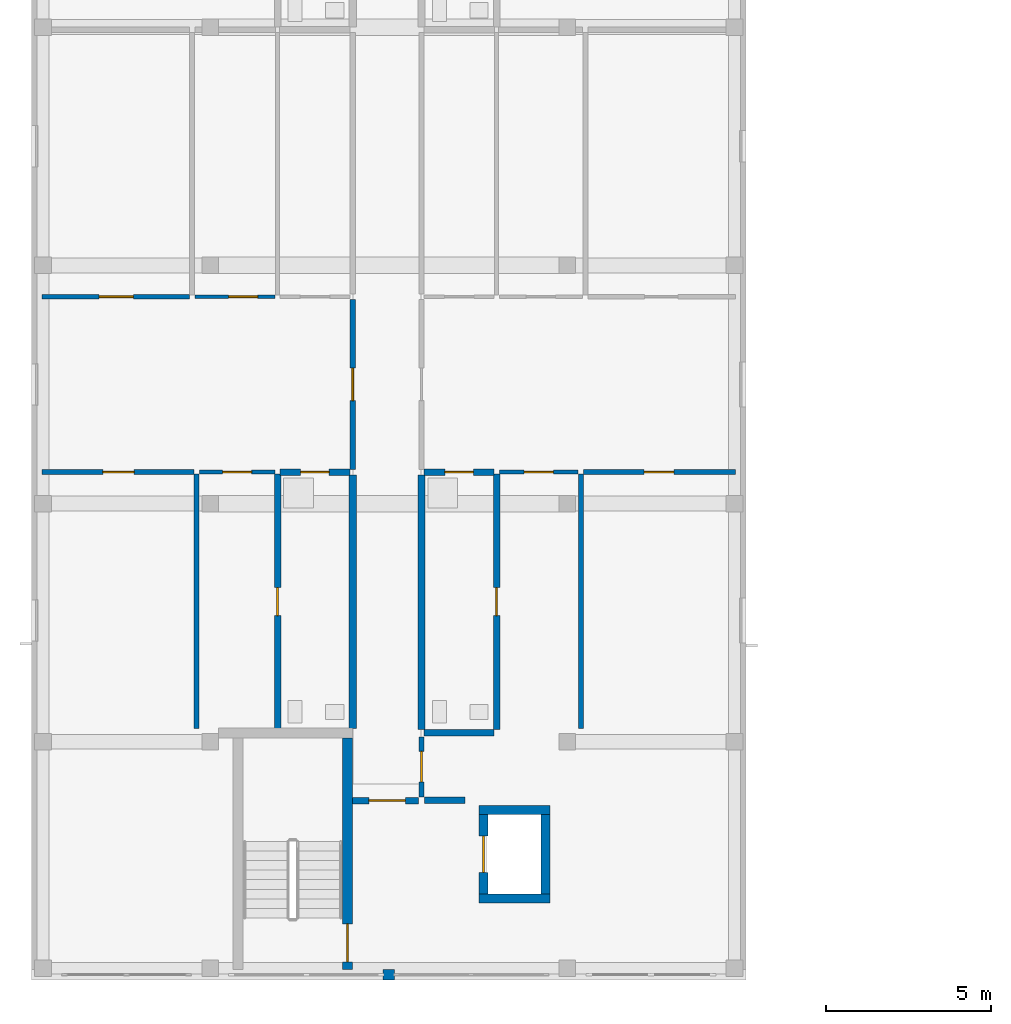
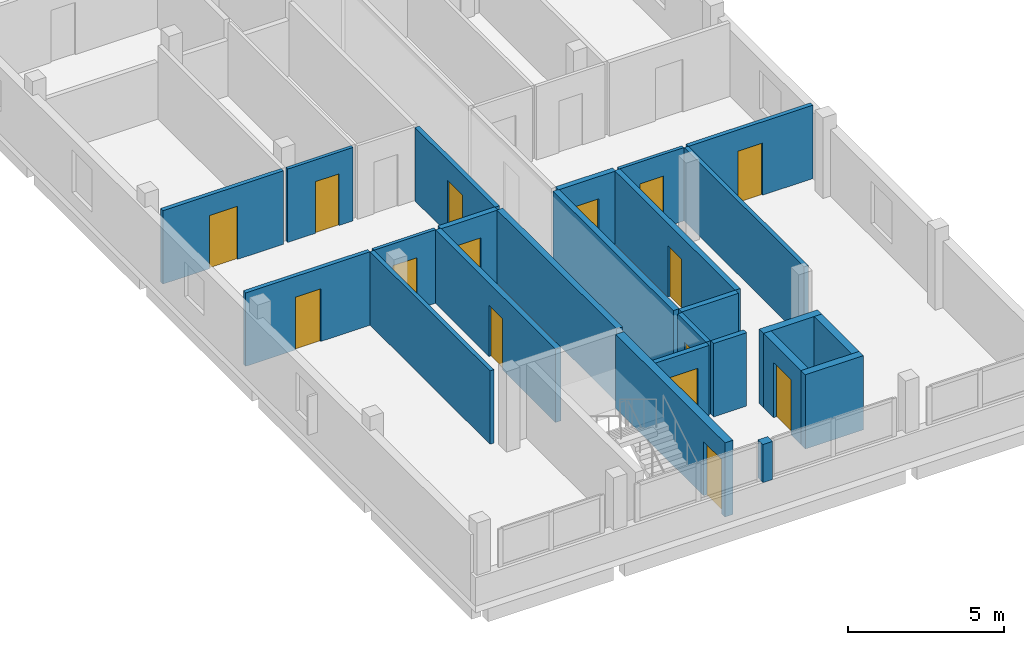
# One storey, part 6 of 16: 25 walls, 15 doors, 15 openings.
"""IFC4 building model written with IfcOpenShell, lengths in metres."""

import ifcopenshell
import ifcopenshell.guid

model = None  # the IFC model being written
_history = None  # IfcOwnerHistory: only IFC2X3 demands one
_inside = {}  # id of a spatial element -> (the spatial element, [elements in it])
_under = {}  # id of a project, library or spatial element -> (it, [spatial elements below it])
_declared = {}  # id of a project -> (the project, [libraries it declares])
_typed = {}  # id of a type object -> (the type object, [elements of that type])
_made_of = {}  # id of a material, layer set ... -> (it, [elements and type objects made of it])


def new_model(schema):
    """Start an empty IFC model of exactly this schema.

    Asked for "IFC4X3", IfcOpenShell would pick the latest addendum, in which some entities
    have other attributes; the version numbers below select the first issue.
    IFC2X3 requires an IfcOwnerHistory on every rooted entity: one is made here for all.
    """
    global model, _history
    if schema == "IFC4X3":
        model = ifcopenshell.file(schema_version=(4, 3, 0, 0))
    else:
        model = ifcopenshell.file(schema=schema)
    _inside.clear()
    _under.clear()
    _declared.clear()
    _typed.clear()
    _made_of.clear()
    _history = None
    if model.schema == "IFC2X3":
        org = make("IfcOrganization", Name="unknown")
        user = make(
            "IfcPersonAndOrganization",
            ThePerson=make("IfcPerson", FamilyName="unknown"),
            TheOrganization=org,
        )
        app = make(
            "IfcApplication",
            ApplicationDeveloper=org,
            Version="unknown",
            ApplicationFullName="unknown",
            ApplicationIdentifier="unknown",
        )
        _history = make(
            "IfcOwnerHistory",
            OwningUser=user,
            OwningApplication=app,
            ChangeAction="ADDED",
            CreationDate=0,
        )
    return model


def make(cls, **values):
    """One entity of the class cls with the attributes given. An attribute that is None is left unset."""
    return model.create_entity(
        cls, **{name: value for name, value in values.items() if value is not None}
    )


def rooted(cls, **values):
    """An entity with a GlobalId (a new one), such as an element, a storey or a relation."""
    return make(cls, GlobalId=ifcopenshell.guid.new(), OwnerHistory=_history, **values)


def si_unit(unit_type, name, prefix=None):
    """IfcSIUnit, for example si_unit("LENGTHUNIT", "METRE", prefix="MILLI")."""
    return make("IfcSIUnit", UnitType=unit_type, Prefix=prefix, Name=name)


def derived_unit(unit_type, elements):
    """IfcDerivedUnit: a product of units, each with its exponent."""
    return make(
        "IfcDerivedUnit",
        Elements=[
            make("IfcDerivedUnitElement", Unit=unit, Exponent=power)
            for unit, power in elements
        ],
        UnitType=unit_type,
    )


def assignment(units):
    """IfcUnitAssignment: the units of a project."""
    return None if units is None else make("IfcUnitAssignment", Units=units)


def point(xyz):
    """IfcCartesianPoint."""
    return None if xyz is None else make("IfcCartesianPoint", Coordinates=xyz)


def direction(xyz):
    """IfcDirection."""
    return None if xyz is None else make("IfcDirection", DirectionRatios=xyz)


def frame(location, z_axis=None, x_axis=None):
    """IfcAxis2Placement3D, a coordinate frame: its origin and axes. An axis left out is left unset."""
    return make(
        "IfcAxis2Placement3D",
        Location=point(location),
        Axis=direction(z_axis),
        RefDirection=direction(x_axis),
    )


def frame_2d(location, x_axis=None):
    """IfcAxis2Placement2D, a coordinate frame in the plane: its origin and x axis."""
    return make(
        "IfcAxis2Placement2D", Location=point(location), RefDirection=direction(x_axis)
    )


def origin():
    """The frame at (0, 0, 0) with its axes left unset."""
    return frame((0.0, 0.0, 0.0))


def place(relative_to, where):
    """IfcLocalPlacement: puts the frame where relative to a parent placement (None: the world)."""
    return make(
        "IfcLocalPlacement", PlacementRelTo=relative_to, RelativePlacement=where
    )


def context(
    kind, dimensions, precision=None, world=None, true_north=None, identifier=None
):
    """IfcGeometricRepresentationContext, for example the 3D "Model" context."""
    return make(
        "IfcGeometricRepresentationContext",
        ContextIdentifier=identifier,
        ContextType=kind,
        CoordinateSpaceDimension=dimensions,
        Precision=precision,
        WorldCoordinateSystem=world,
        TrueNorth=true_north,
    )


def subcontext(parent, identifier, kind, view, scale=None):
    """IfcGeometricRepresentationSubContext, for example "Body" below "Model"."""
    return make(
        "IfcGeometricRepresentationSubContext",
        ContextIdentifier=identifier,
        ContextType=kind,
        ParentContext=parent,
        TargetScale=scale,
        TargetView=view,
    )


def project(units=None, contexts=None):
    """IfcProject with its units and contexts."""
    return rooted(
        "IfcProject",
        Name="project",
        RepresentationContexts=contexts,
        UnitsInContext=assignment(units),
    )


def spatial(cls, under=None, at=None, **own):
    """A site, building, storey or space (cls), placed at a placement, below another one or the project."""
    s = rooted(cls, ObjectPlacement=at, **own)
    if under is not None:
        _under.setdefault(under.id(), (under, []))[1].append(s)
    return s


def profile(cls, at=None, kind="AREA", **sizes):
    """A parametric profile (cls). Its sizes go by their IFC names, for example OverallWidth=200.0."""
    return make(cls, ProfileType=kind, Position=at, **sizes)


def rectangle(**sizes):
    """IfcRectangleProfileDef."""
    return profile("IfcRectangleProfileDef", **sizes)


def extrude(swept, where, along, depth):
    """IfcExtrudedAreaSolid: the profile swept, set in the frame where, extruded along a direction by depth."""
    return make(
        "IfcExtrudedAreaSolid",
        SweptArea=swept,
        Position=where,
        ExtrudedDirection=direction(along),
        Depth=depth,
    )


def shape(context_of_items, identifier, shape_type, items):
    """IfcShapeRepresentation: the items that make up one representation, for example the "Body"."""
    return make(
        "IfcShapeRepresentation",
        ContextOfItems=context_of_items,
        RepresentationIdentifier=identifier,
        RepresentationType=shape_type,
        Items=items,
    )


def material(Name=None, Category=None):
    """IfcMaterial."""
    return make("IfcMaterial", Name=Name, Category=Category)


def layer(
    of_material, thickness, ventilated=None, Name=None, Category=None, Priority=None
):
    """IfcMaterialLayer: one layer of a wall or slab, of a material (None: an air gap)."""
    return make(
        "IfcMaterialLayer",
        Material=of_material,
        LayerThickness=thickness,
        IsVentilated=ventilated,
        Name=Name,
        Category=Category,
        Priority=Priority,
    )


def layer_set(layers, Name=None):
    """IfcMaterialLayerSet."""
    return make("IfcMaterialLayerSet", MaterialLayers=layers, LayerSetName=Name)


def made_of(thing, what):
    """Note that an element or type object is made of a material, layer set ...; save() writes the relation."""
    if what is not None:
        _made_of.setdefault(what.id(), (what, []))[1].append(thing)
    return thing


def type_object(cls, material=None, **own):
    """A type object (cls), such as IfcWallType, which elements share."""
    return made_of(rooted(cls, **own), material)


def element(
    cls,
    number,
    at=None,
    inside=None,
    cuts=None,
    type_object=None,
    material=None,
    context=None,
    identifier="Body",
    shape_type=None,
    held_by="IfcProductDefinitionShape",
    body=None,
    shapes=None,
    **own,
):
    """One element of the class cls, such as IfcWall. Its Tag is "e" and its number.

    at: its placement. inside: the storey or other place that contains it. cuts: it is an
    opening in that element (IfcRelVoidsElement). A single representation is given by context,
    identifier, shape_type and body (its items); several are given by shapes. held_by: the class
    of the entity that holds the representations. save() writes the other relations.
    """
    e = rooted(cls, Tag="e%d" % number, ObjectPlacement=at, **own)
    if body is not None:
        shapes = [shape(context, identifier, shape_type, body)]
    if shapes is not None:
        e.Representation = make(held_by, Representations=shapes)
    if inside is not None:
        _inside.setdefault(inside.id(), (inside, []))[1].append(e)
    if cuts is not None:
        rooted(
            "IfcRelVoidsElement", RelatingBuildingElement=cuts, RelatedOpeningElement=e
        )
    if type_object is not None:
        _typed.setdefault(type_object.id(), (type_object, []))[1].append(e)
    return made_of(e, material)


def fill(opening, filler):
    """IfcRelFillsElement: the door or window that sits in an opening."""
    return rooted(
        "IfcRelFillsElement",
        RelatingOpeningElement=opening,
        RelatedBuildingElement=filler,
    )


def aggregate(whole, parts):
    """IfcRelAggregates: a whole, such as a stair, and the parts it consists of."""
    return rooted("IfcRelAggregates", RelatingObject=whole, RelatedObjects=parts)


def save(model, path):
    """Write the relations noted so far, then the file.

    IfcRelAggregates (storeys below a building ...), IfcRelContainedInSpatialStructure (elements
    in a storey), IfcRelDefinesByType, IfcRelAssociatesMaterial and IfcRelDeclares: one each for
    every whole, place, type object, material and project.
    """
    for whole, parts in _under.values():
        aggregate(whole, parts)
    for where, things in _inside.values():
        rooted(
            "IfcRelContainedInSpatialStructure",
            RelatedElements=things,
            RelatingStructure=where,
        )
    for kind, things in _typed.values():
        rooted("IfcRelDefinesByType", RelatedObjects=things, RelatingType=kind)
    for what, things in _made_of.values():
        rooted("IfcRelAssociatesMaterial", RelatedObjects=things, RelatingMaterial=what)
    for by, libraries in _declared.values():
        rooted("IfcRelDeclares", RelatingContext=by, RelatedDefinitions=libraries)
    model.write(path)


model = new_model("IFC4")

# Units and contexts
model_context = context("Model", 3, precision=1e-05, world=origin(), true_north=direction((0.0, 1.0)))
body_context = subcontext(model_context, "Body", "Model", "MODEL_VIEW")
ifc_project = project(units=[si_unit("LENGTHUNIT", "METRE"), si_unit("AREAUNIT", "SQUARE_METRE"), si_unit("VOLUMEUNIT", "CUBIC_METRE"), si_unit("PLANEANGLEUNIT", "RADIAN"), si_unit("MASSUNIT", "GRAM", prefix="KILO"), derived_unit("THERMALTRANSMITTANCEUNIT", [(si_unit("MASSUNIT", "GRAM", prefix="KILO"), 1), (si_unit("TIMEUNIT", "SECOND"), -3), (si_unit("THERMODYNAMICTEMPERATUREUNIT", "KELVIN"), -1)])], contexts=[model_context])

# Site, building, storey
site_placement = place(None, origin())
site = spatial("IfcSite", under=ifc_project, at=site_placement, CompositionType="ELEMENT")
building_placement = place(site_placement, origin())
building = spatial("IfcBuilding", under=site, at=building_placement, Name="Ochrekiln Boulevard Commons", CompositionType="ELEMENT")
storey_placement = place(building_placement, frame((0.0, 0.0, 43.574951171875)))
storey = spatial("IfcBuildingStorey", under=building, at=storey_placement, Name="L13", CompositionType="ELEMENT", Elevation=43.574951171875)

# Walls
ifc_material_1 = material(Name="Desert ochre clinker brick masonry ASTM C216 Grade SW", Category="masonry")
ifc_layer_1 = layer(ifc_material_1, 0.320068359375)
ifc_layer_set_1 = layer_set([ifc_layer_1], Name="Desert ochre clinker brick masonry ASTM C216 Grade SW")
wall_type_1 = type_object("IfcWallType", Name="WL-EXT-OCHRE-320", PredefinedType="SOLIDWALL", material=ifc_layer_set_1)
wall_1_placement = place(storey_placement, frame((10.6201171875, 68.56005859375, 1.110107421875), z_axis=(0.0, 0.0, 1.0), x_axis=(1.0, 0.0, 0.0)))
element("IfcWall", 1, at=wall_1_placement, inside=storey, type_object=wall_type_1, Name="Block A L13 Courtyard Gable Mullion Pier", PredefinedType="SOLIDWALL", context=body_context, shape_type="SweptSolid", body=[
    extrude(rectangle(XDim=0.35986328125, YDim=0.320068359375, at=frame_2d((0.179931640625, 0.0))), origin(), (0.0, 0.0, 1.0), 1.489990234375),
])
ifc_material_2 = material(Name="Moisture-resistant cementitious tile backer wall")
ifc_layer_2 = layer(ifc_material_2, 0.199951171875)
ifc_layer_set_2 = layer_set([ifc_layer_2], Name="Moisture-resistant cementitious tile backer wall")
wall_type_2 = type_object("IfcWallType", Name="WL-PLM-200", PredefinedType="PLUMBINGWALL", material=ifc_layer_set_2)
wall_2_placement = place(storey_placement, frame((11.8720703125, 75.875, 0.0), z_axis=(0.0, 0.0, 1.0), x_axis=(1.0, 0.0, 0.0)))
element("IfcWall", 2, at=wall_2_placement, inside=storey, type_object=wall_type_2, Name="L13 Interior Wall W-PW200", PredefinedType="PLUMBINGWALL", context=body_context, shape_type="SweptSolid", body=[
    extrude(rectangle(XDim=2.10791015625, YDim=0.199951171875, at=frame_2d((1.053955078125, 0.0))), origin(), (0.0, 0.0, 1.0), 2.8701171875),
])

# Wall, opening, door
wall_3_placement = place(storey_placement, frame((7.52001953125, 83.75, 0.0), z_axis=(0.0, 0.0, 1.0), x_axis=(1.0, 0.0, 0.0)))
wall_3 = element("IfcWall", 3, at=wall_3_placement, inside=storey, type_object=wall_type_2, Name="L13 Interior Wall W-PW200", PredefinedType="PLUMBINGWALL", context=body_context, shape_type="SweptSolid", body=[
    extrude(rectangle(XDim=2.10791015625, YDim=0.199951171875, at=frame_2d((1.053955078125, 0.0))), origin(), (0.0, 0.0, 1.0), 2.8701171875),
])
opening_1_placement = place(wall_3_placement, frame((0.6201171875, 0.0, 0.0)))
opening_1 = element("IfcOpeningElement", 4, at=opening_1_placement, cuts=wall_3, Name="Opening D-L13-1342", PredefinedType="OPENING", context=body_context, shape_type="SweptSolid", body=[
    extrude(rectangle(XDim=0.860107421875, YDim=2.0, at=frame_2d((0.43017578125, 1.0))), frame((0.0, 0.10986328125, 0.0), z_axis=(0.0, -1.0, 0.0), x_axis=(1.0, 0.0, 0.0)), (0.0, 0.0, 1.0), 0.219970703125),
])
ifc_material_3 = material(Name="Solid core architectural oak door leaf")
door_type_1 = type_object("IfcDoorType", Name="DR-INT-BTH-086", OperationType="NOTDEFINED", PredefinedType="DOOR", material=ifc_material_3)
door_1_placement = place(opening_1_placement, frame((0.860107421875, 0.0, 0.0), z_axis=(0.0, 0.0, 1.0), x_axis=(-1.0, 0.0, 0.0)))
door_1 = element("IfcDoor", 5, at=door_1_placement, inside=storey, type_object=door_type_1, Name="L13 Interior Door to Accessible Apartment Bathroom", OperationType="SINGLE_SWING_RIGHT", OverallHeight=2.0, OverallWidth=0.860107421875, PredefinedType="DOOR", context=body_context, shape_type="SweptSolid", body=[
    extrude(rectangle(XDim=0.860107421875, YDim=2.0, at=frame_2d((0.43017578125, 1.0))), frame((0.0, 0.02490234375, 0.0), z_axis=(0.0, -1.0, 0.0), x_axis=(1.0, 0.0, 0.0)), (0.0, 0.0, 1.0), 0.050048828125),
])
fill(opening_1, door_1)

wall_4_placement = place(storey_placement, frame((7.43994140625, 76.0, 0.0), z_axis=(0.0, 0.0, 1.0), x_axis=(0.0, 1.0, 0.0)))
wall_4 = element("IfcWall", 6, at=wall_4_placement, inside=storey, type_object=wall_type_2, Name="L13 Interior Wall W-PW200", PredefinedType="PLUMBINGWALL", context=body_context, shape_type="SweptSolid", body=[
    extrude(rectangle(XDim=7.68994140625, YDim=0.199951171875, at=frame_2d((3.844970703125, 0.0))), origin(), (0.0, 0.0, 1.0), 2.8701171875),
])
opening_2_placement = place(wall_4_placement, frame((3.409912109375, 0.0, 0.0)))
opening_2 = element("IfcOpeningElement", 7, at=opening_2_placement, cuts=wall_4, Name="Opening D-L13-1348", PredefinedType="OPENING", context=body_context, shape_type="SweptSolid", body=[
    extrude(rectangle(XDim=0.85009765625, YDim=2.010009765625, at=frame_2d((0.425048828125, 1.0048828125))), frame((0.0, 0.10986328125, 0.0), z_axis=(0.0, -1.0, 0.0), x_axis=(1.0, 0.0, 0.0)), (0.0, 0.0, 1.0), 0.219970703125),
])
door_type_2 = type_object("IfcDoorType", Name="DR-INT-KIT-085", OperationType="NOTDEFINED", PredefinedType="DOOR", material=ifc_material_3)
door_2_placement = place(opening_2_placement, frame((0.85009765625, 0.0, 0.0), z_axis=(0.0, 0.0, 1.0), x_axis=(-1.0, 0.0, 0.0)))
door_2 = element("IfcDoor", 8, at=door_2_placement, inside=storey, type_object=door_type_2, Name="L13 Interior Door to Accessible Apartment Bathroom", OperationType="SINGLE_SWING_RIGHT", OverallHeight=2.010009765625, OverallWidth=0.85009765625, PredefinedType="DOOR", context=body_context, shape_type="SweptSolid", body=[
    extrude(rectangle(XDim=0.85009765625, YDim=2.010009765625, at=frame_2d((0.425048828125, 1.0048828125))), frame((0.0, 0.02490234375, 0.0), z_axis=(0.0, -1.0, 0.0), x_axis=(1.0, 0.0, 0.0)), (0.0, 0.0, 1.0), 0.050048828125),
])
fill(opening_2, door_2)

wall_5_placement = place(storey_placement, frame((11.8720703125, 83.75, 0.0), z_axis=(0.0, 0.0, 1.0), x_axis=(1.0, 0.0, 0.0)))
wall_5 = element("IfcWall", 9, at=wall_5_placement, inside=storey, type_object=wall_type_2, Name="L13 Interior Wall W-PW200", PredefinedType="PLUMBINGWALL", context=body_context, shape_type="SweptSolid", body=[
    extrude(rectangle(XDim=2.10791015625, YDim=0.199951171875, at=frame_2d((1.053955078125, 0.0))), origin(), (0.0, 0.0, 1.0), 2.8701171875),
])
opening_3_placement = place(wall_5_placement, frame((0.6279296875, 0.0, 0.0)))
opening_3 = element("IfcOpeningElement", 10, at=opening_3_placement, cuts=wall_5, Name="Opening D-L13-1353", PredefinedType="OPENING", context=body_context, shape_type="SweptSolid", body=[
    extrude(rectangle(XDim=0.860107421875, YDim=2.0, at=frame_2d((0.43017578125, 1.0))), frame((0.0, 0.10986328125, 0.0), z_axis=(0.0, -1.0, 0.0), x_axis=(1.0, 0.0, 0.0)), (0.0, 0.0, 1.0), 0.219970703125),
])
door_3_placement = place(opening_3_placement, frame((0.860107421875, 0.0, 0.0), z_axis=(0.0, 0.0, 1.0), x_axis=(-1.0, 0.0, 0.0)))
door_3 = element("IfcDoor", 11, at=door_3_placement, inside=storey, type_object=door_type_1, Name="L13 Interior Door to Apartment Bathroom", OperationType="SINGLE_SWING_LEFT", OverallHeight=2.0, OverallWidth=0.860107421875, PredefinedType="DOOR", context=body_context, shape_type="SweptSolid", body=[
    extrude(rectangle(XDim=0.860107421875, YDim=2.0, at=frame_2d((0.43017578125, 1.0))), frame((0.0, 0.02490234375, 0.0), z_axis=(0.0, -1.0, 0.0), x_axis=(1.0, 0.0, 0.0)), (0.0, 0.0, 1.0), 0.050048828125),
])
fill(opening_3, door_3)

wall_6_placement = place(storey_placement, frame((14.06005859375, 75.97509765625, 0.0), z_axis=(0.0, 0.0, 1.0), x_axis=(0.0, 1.0, 0.0)))
wall_6 = element("IfcWall", 12, at=wall_6_placement, inside=storey, type_object=wall_type_2, Name="L13 Interior Wall W-PW200", PredefinedType="PLUMBINGWALL", context=body_context, shape_type="SweptSolid", body=[
    extrude(rectangle(XDim=7.71484375, YDim=0.199951171875, at=frame_2d((3.857421875, 0.0))), origin(), (0.0, 0.0, 1.0), 2.8701171875),
])
opening_4_placement = place(wall_6_placement, frame((3.43505859375, 0.0, 0.0)))
opening_4 = element("IfcOpeningElement", 13, at=opening_4_placement, cuts=wall_6, Name="Opening D-L13-1359", PredefinedType="OPENING", context=body_context, shape_type="SweptSolid", body=[
    extrude(rectangle(XDim=0.85009765625, YDim=2.010009765625, at=frame_2d((0.425048828125, 1.0048828125))), frame((0.0, 0.10986328125, 0.0), z_axis=(0.0, -1.0, 0.0), x_axis=(1.0, 0.0, 0.0)), (0.0, 0.0, 1.0), 0.219970703125),
])
door_4_placement = place(opening_4_placement, origin())
door_4 = element("IfcDoor", 14, at=door_4_placement, inside=storey, type_object=door_type_2, Name="L13 Interior Door to Apartment Bathroom", OperationType="SINGLE_SWING_LEFT", OverallHeight=2.010009765625, OverallWidth=0.85009765625, PredefinedType="DOOR", context=body_context, shape_type="SweptSolid", body=[
    extrude(rectangle(XDim=0.85009765625, YDim=2.010009765625, at=frame_2d((0.425048828125, 1.0048828125))), frame((0.0, 0.02490234375, 0.0), z_axis=(0.0, -1.0, 0.0), x_axis=(1.0, 0.0, 0.0)), (0.0, 0.0, 1.0), 0.050048828125),
])
fill(opening_4, door_4)

# Walls
ifc_layer_3 = layer(ifc_material_2, 0.219970703125)
ifc_layer_set_3 = layer_set([ifc_layer_3], Name="Moisture-resistant cementitious tile backer wall")
wall_type_3 = type_object("IfcWallType", Name="WL-PLM-220", PredefinedType="PLUMBINGWALL", material=ifc_layer_set_3)
wall_7_placement = place(storey_placement, frame((9.7099609375, 76.0, 0.0), z_axis=(0.0, 0.0, 1.0), x_axis=(0.0, 1.0, 0.0)))
element("IfcWall", 15, at=wall_7_placement, inside=storey, type_object=wall_type_3, Name="L13 Interior Wall W-PW220", PredefinedType="PLUMBINGWALL", context=body_context, shape_type="SweptSolid", body=[
    extrude(rectangle(XDim=7.669921875, YDim=0.219970703125, at=frame_2d((3.8349609375, 0.0))), origin(), (0.0, 0.0, 1.0), 2.8701171875),
])
wall_8_placement = place(storey_placement, frame((11.7900390625, 75.97509765625, 0.0), z_axis=(0.0, 0.0, 1.0), x_axis=(0.0, 1.0, 0.0)))
element("IfcWall", 16, at=wall_8_placement, inside=storey, type_object=wall_type_3, Name="L13 Interior Wall W-PW220", PredefinedType="PLUMBINGWALL", context=body_context, shape_type="SweptSolid", body=[
    extrude(rectangle(XDim=7.69482421875, YDim=0.219970703125, at=frame_2d((3.847412109375, 0.0))), origin(), (0.0, 0.0, 1.0), 2.8701171875),
])

# Wall, opening, door
ifc_material_4 = material(Name="Fire-rated Type X gypsum board on steel studs", Category="steel")
ifc_layer_4 = layer(ifc_material_4, 0.1650390625)
ifc_layer_set_4 = layer_set([ifc_layer_4], Name="Fire-rated Type X gypsum board on steel studs")
wall_type_4 = type_object("IfcWallType", Name="WL-PT-CORR-165", PredefinedType="PARTITIONING", material=ifc_layer_set_4)
wall_9_placement = place(storey_placement, frame((11.7900390625, 73.929931640625, 0.0), z_axis=(0.0, 0.0, 1.0), x_axis=(0.0, 1.0, 0.0)))
wall_9 = element("IfcWall", 17, at=wall_9_placement, inside=storey, type_object=wall_type_4, Name="L13 Interior Wall W-PC165", PredefinedType="PARTITIONING", context=body_context, shape_type="SweptSolid", body=[
    extrude(rectangle(XDim=1.820068359375, YDim=0.1650390625, at=frame_2d((0.91015625, 0.0))), origin(), (0.0, 0.0, 1.0), 2.8701171875),
])
opening_5_placement = place(wall_9_placement, frame((0.4599609375, 0.0, 0.0)))
opening_5 = element("IfcOpeningElement", 18, at=opening_5_placement, cuts=wall_9, Name="Opening D-L13-1337", PredefinedType="OPENING", context=body_context, shape_type="SweptSolid", body=[
    extrude(rectangle(XDim=0.919921875, YDim=2.0400390625, at=frame_2d((0.4599609375, 1.02001953125))), frame((0.0, 0.092529296875, 0.0), z_axis=(0.0, -1.0, 0.0), x_axis=(1.0, 0.0, 0.0)), (0.0, 0.0, 1.0), 0.18505859375),
])
ifc_material_5 = material(Name="Hollow metal fire-rated steel door assembly", Category="steel")
door_type_3 = type_object("IfcDoorType", Name="DR-SRV-90", OperationType="NOTDEFINED", PredefinedType="DOOR", material=ifc_material_5)
door_5_placement = place(opening_5_placement, frame((0.919921875, 0.0, 0.0), z_axis=(0.0, 0.0, 1.0), x_axis=(-1.0, 0.0, 0.0)))
door_5 = element("IfcDoor", 19, at=door_5_placement, inside=storey, type_object=door_type_3, Name="L13 Interior Door to Hydronic and Electrical Riser Room", OperationType="SINGLE_SWING_LEFT", OverallHeight=2.0400390625, OverallWidth=0.919921875, PredefinedType="DOOR", context=body_context, shape_type="SweptSolid", body=[
    extrude(rectangle(XDim=0.919921875, YDim=2.0400390625, at=frame_2d((0.4599609375, 1.02001953125))), frame((0.0, 0.02490234375, 0.0), z_axis=(0.0, -1.0, 0.0), x_axis=(1.0, 0.0, 0.0)), (0.0, 0.0, 1.0), 0.050048828125),
])
fill(opening_5, door_5)

wall_10_placement = place(storey_placement, frame((9.7099609375, 83.830078125, 0.0), z_axis=(0.0, 0.0, 1.0), x_axis=(0.0, 1.0, 0.0)))
wall_10 = element("IfcWall", 20, at=wall_10_placement, inside=storey, type_object=wall_type_4, Name="L13 Interior Wall W-PC165", PredefinedType="PARTITIONING", context=body_context, shape_type="SweptSolid", body=[
    extrude(rectangle(XDim=5.139892578125, YDim=0.1650390625, at=frame_2d((2.56982421875, 0.0))), origin(), (0.0, 0.0, 1.0), 2.8701171875),
])
opening_6_placement = place(wall_10_placement, frame((2.080078125, 0.0, 0.0)))
opening_6 = element("IfcOpeningElement", 21, at=opening_6_placement, cuts=wall_10, Name="Opening D-L13-1338", PredefinedType="OPENING", context=body_context, shape_type="SweptSolid", body=[
    extrude(rectangle(XDim=0.97998046875, YDim=2.080078125, at=frame_2d((0.489990234375, 1.0400390625))), frame((0.0, 0.092529296875, 0.0), z_axis=(0.0, -1.0, 0.0), x_axis=(1.0, 0.0, 0.0)), (0.0, 0.0, 1.0), 0.18505859375),
])
door_type_4 = type_object("IfcDoorType", Name="DR-APT-60", OperationType="NOTDEFINED", PredefinedType="DOOR", material=ifc_material_3)
door_6_placement = place(opening_6_placement, origin())
door_6 = element("IfcDoor", 22, at=door_6_placement, inside=storey, type_object=door_type_4, Name="L13 Interior Door to Two-Bedroom Apartment Living Room", OperationType="SINGLE_SWING_RIGHT", OverallHeight=2.080078125, OverallWidth=0.97998046875, PredefinedType="DOOR", context=body_context, shape_type="SweptSolid", body=[
    extrude(rectangle(XDim=0.97998046875, YDim=2.080078125, at=frame_2d((0.489990234375, 1.0400390625))), frame((0.0, 0.02490234375, 0.0), z_axis=(0.0, -1.0, 0.0), x_axis=(1.0, 0.0, 0.0)), (0.0, 0.0, 1.0), 0.050048828125),
])
fill(opening_6, door_6)

# Wall
ifc_layer_5 = layer(ifc_material_4, 0.18994140625)
ifc_layer_set_5 = layer_set([ifc_layer_5], Name="Fire-rated Type X gypsum board on steel studs")
wall_type_5 = type_object("IfcWallType", Name="WL-PT-LBY-190", PredefinedType="PARTITIONING", material=ifc_layer_set_5)
wall_11_placement = place(storey_placement, frame((11.8798828125, 73.8349609375, 0.0), z_axis=(0.0, 0.0, 1.0), x_axis=(1.0, 0.0, 0.0)))
element("IfcWall", 23, at=wall_11_placement, inside=storey, type_object=wall_type_5, Name="L13 Interior Wall W-PL190", PredefinedType="PARTITIONING", context=body_context, shape_type="SweptSolid", body=[
    extrude(rectangle(XDim=1.22021484375, YDim=0.18994140625, at=frame_2d((0.610107421875, 0.0))), origin(), (0.0, 0.0, 1.0), 2.8701171875),
])

# Wall, opening, door
wall_12_placement = place(storey_placement, frame((9.699951171875, 73.820068359375, 0.0), z_axis=(0.0, 0.0, 1.0), x_axis=(1.0, 0.0, 0.0)))
wall_12 = element("IfcWall", 24, at=wall_12_placement, inside=storey, type_object=wall_type_5, Name="L13 Interior Wall W-PL190", PredefinedType="PARTITIONING", context=body_context, shape_type="SweptSolid", body=[
    extrude(rectangle(XDim=2.0, YDim=0.18994140625, at=frame_2d((1.0, 0.0))), origin(), (0.0, 0.0, 1.0), 2.8701171875),
])
opening_7_placement = place(wall_12_placement, frame((0.5, 0.0, 0.0)))
opening_7 = element("IfcOpeningElement", 25, at=opening_7_placement, cuts=wall_12, Name="Opening D-L13-1335", PredefinedType="OPENING", context=body_context, shape_type="SweptSolid", body=[
    extrude(rectangle(XDim=1.10009765625, YDim=2.1201171875, at=frame_2d((0.550048828125, 1.06005859375))), frame((0.0, 0.10498046875, 0.0), z_axis=(0.0, -1.0, 0.0), x_axis=(1.0, 0.0, 0.0)), (0.0, 0.0, 1.0), 0.2099609375),
])
door_type_5 = type_object("IfcDoorType", Name="DR-LOBBY-60", OperationType="NOTDEFINED", PredefinedType="DOOR", material=ifc_material_5)
door_7_placement = place(opening_7_placement, frame((1.10009765625, 0.0, 0.0), z_axis=(0.0, 0.0, 1.0), x_axis=(-1.0, 0.0, 0.0)))
door_7 = element("IfcDoor", 26, at=door_7_placement, inside=storey, type_object=door_type_5, Name="L13 Interior Door to Fire Service Access Elevator Lobby", OperationType="SINGLE_SWING_LEFT", OverallHeight=2.1201171875, OverallWidth=1.10009765625, PredefinedType="DOOR", context=body_context, shape_type="SweptSolid", body=[
    extrude(rectangle(XDim=1.10009765625, YDim=2.1201171875, at=frame_2d((0.550048828125, 1.06005859375))), frame((0.0, 0.02490234375, 0.0), z_axis=(0.0, -1.0, 0.0), x_axis=(1.0, 0.0, 0.0)), (0.0, 0.0, 1.0), 0.050048828125),
])
fill(opening_7, door_7)

ifc_layer_6 = layer(ifc_material_4, 0.1201171875)
ifc_layer_set_6 = layer_set([ifc_layer_6], Name="Fire-rated Type X gypsum board on steel studs")
wall_type_6 = type_object("IfcWallType", Name="WL-PT-LGT-120", PredefinedType="PARTITIONING", material=ifc_layer_set_6)
wall_13_placement = place(storey_placement, frame((5.072998046875, 83.75, 0.0), z_axis=(0.0, 0.0, 1.0), x_axis=(1.0, 0.0, 0.0)))
wall_13 = element("IfcWall", 27, at=wall_13_placement, inside=storey, type_object=wall_type_6, Name="L13 Interior Wall W-PL120", PredefinedType="PARTITIONING", context=body_context, shape_type="SweptSolid", body=[
    extrude(rectangle(XDim=2.287109375, YDim=0.1201171875, at=frame_2d((1.1435546875, 0.0))), origin(), (0.0, 0.0, 1.0), 2.8701171875),
])
opening_8_placement = place(wall_13_placement, frame((0.702880859375, 0.0, 0.0)))
opening_8 = element("IfcOpeningElement", 28, at=opening_8_placement, cuts=wall_13, Name="Opening D-L13-1345", PredefinedType="OPENING", context=body_context, shape_type="SweptSolid", body=[
    extrude(rectangle(XDim=0.8798828125, YDim=2.02001953125, at=frame_2d((0.43994140625, 1.010009765625))), frame((0.0, 0.070068359375, 0.0), z_axis=(0.0, -1.0, 0.0), x_axis=(1.0, 0.0, 0.0)), (0.0, 0.0, 1.0), 0.14013671875),
])
door_type_6 = type_object("IfcDoorType", Name="DR-INT-KIT-088", OperationType="NOTDEFINED", PredefinedType="DOOR", material=ifc_material_3)
door_8_placement = place(opening_8_placement, frame((0.8798828125, 0.0, 0.0), z_axis=(0.0, 0.0, 1.0), x_axis=(-1.0, 0.0, 0.0)))
door_8 = element("IfcDoor", 29, at=door_8_placement, inside=storey, type_object=door_type_6, Name="L13 Interior Door to Apartment Walk-In Wardrobe", OperationType="SINGLE_SWING_LEFT", OverallHeight=2.02001953125, OverallWidth=0.8798828125, PredefinedType="DOOR", context=body_context, shape_type="SweptSolid", body=[
    extrude(rectangle(XDim=0.8798828125, YDim=2.02001953125, at=frame_2d((0.43994140625, 1.010009765625))), frame((0.0, 0.02490234375, 0.0), z_axis=(0.0, -1.0, 0.0), x_axis=(1.0, 0.0, 0.0)), (0.0, 0.0, 1.0), 0.050048828125),
])
fill(opening_8, door_8)

wall_14_placement = place(storey_placement, frame((4.93994140625, 89.050048828125, 0.0), z_axis=(0.0, 0.0, 1.0), x_axis=(1.0, 0.0, 0.0)))
wall_14 = element("IfcWall", 30, at=wall_14_placement, inside=storey, type_object=wall_type_6, Name="L13 Interior Wall W-PL120", PredefinedType="PARTITIONING", context=body_context, shape_type="SweptSolid", body=[
    extrude(rectangle(XDim=2.420166015625, YDim=0.1201171875, at=frame_2d((1.2099609375, 0.0))), origin(), (0.0, 0.0, 1.0), 2.8701171875),
])
opening_9_placement = place(wall_14_placement, frame((1.02001953125, 0.0, 0.0)))
opening_9 = element("IfcOpeningElement", 31, at=opening_9_placement, cuts=wall_14, Name="Opening D-L13-1347", PredefinedType="OPENING", context=body_context, shape_type="SweptSolid", body=[
    extrude(rectangle(XDim=0.8798828125, YDim=2.02001953125, at=frame_2d((0.43994140625, 1.010009765625))), frame((0.0, 0.070068359375, 0.0), z_axis=(0.0, -1.0, 0.0), x_axis=(1.0, 0.0, 0.0)), (0.0, 0.0, 1.0), 0.14013671875),
])
door_9_placement = place(opening_9_placement, origin())
door_9 = element("IfcDoor", 32, at=door_9_placement, inside=storey, type_object=door_type_6, Name="L13 Interior Door to Apartment Walk-In Wardrobe", OperationType="SINGLE_SWING_LEFT", OverallHeight=2.02001953125, OverallWidth=0.8798828125, PredefinedType="DOOR", context=body_context, shape_type="SweptSolid", body=[
    extrude(rectangle(XDim=0.8798828125, YDim=2.02001953125, at=frame_2d((0.43994140625, 1.010009765625))), frame((0.0, 0.02490234375, 0.0), z_axis=(0.0, -1.0, 0.0), x_axis=(1.0, 0.0, 0.0)), (0.0, 0.0, 1.0), 0.050048828125),
])
fill(opening_9, door_9)

wall_15_placement = place(storey_placement, frame((14.139892578125, 83.75, 0.0), z_axis=(0.0, 0.0, 1.0), x_axis=(1.0, 0.0, 0.0)))
wall_15 = element("IfcWall", 33, at=wall_15_placement, inside=storey, type_object=wall_type_6, Name="L13 Interior Wall W-PL120", PredefinedType="PARTITIONING", context=body_context, shape_type="SweptSolid", body=[
    extrude(rectangle(XDim=2.38720703125, YDim=0.1201171875, at=frame_2d((1.193603515625, 0.0))), origin(), (0.0, 0.0, 1.0), 2.8701171875),
])
opening_10_placement = place(wall_15_placement, frame((0.75390625, 0.0, 0.0)))
opening_10 = element("IfcOpeningElement", 34, at=opening_10_placement, cuts=wall_15, Name="Opening D-L13-1356", PredefinedType="OPENING", context=body_context, shape_type="SweptSolid", body=[
    extrude(rectangle(XDim=0.8798828125, YDim=2.02001953125, at=frame_2d((0.43994140625, 1.010009765625))), frame((0.0, 0.070068359375, 0.0), z_axis=(0.0, -1.0, 0.0), x_axis=(1.0, 0.0, 0.0)), (0.0, 0.0, 1.0), 0.14013671875),
])
door_10_placement = place(opening_10_placement, frame((0.8798828125, 0.0, 0.0), z_axis=(0.0, 0.0, 1.0), x_axis=(-1.0, 0.0, 0.0)))
door_10 = element("IfcDoor", 35, at=door_10_placement, inside=storey, type_object=door_type_6, Name="L13 Interior Door to Apartment Walk-In Wardrobe", OperationType="SINGLE_SWING_RIGHT", OverallHeight=2.02001953125, OverallWidth=0.8798828125, PredefinedType="DOOR", context=body_context, shape_type="SweptSolid", body=[
    extrude(rectangle(XDim=0.8798828125, YDim=2.02001953125, at=frame_2d((0.43994140625, 1.010009765625))), frame((0.0, 0.02490234375, 0.0), z_axis=(0.0, -1.0, 0.0), x_axis=(1.0, 0.0, 0.0)), (0.0, 0.0, 1.0), 0.050048828125),
])
fill(opening_10, door_10)

ifc_layer_7 = layer(ifc_material_4, 0.14990234375)
ifc_layer_set_7 = layer_set([ifc_layer_7], Name="Fire-rated Type X gypsum board on steel studs")
wall_type_7 = type_object("IfcWallType", Name="WL-PT-STD-150", PredefinedType="PARTITIONING", material=ifc_layer_set_7)
wall_16_placement = place(storey_placement, frame((0.320068359375, 83.75, 0.0), z_axis=(0.0, 0.0, 1.0), x_axis=(1.0, 0.0, 0.0)))
wall_16 = element("IfcWall", 36, at=wall_16_placement, inside=storey, type_object=wall_type_7, Name="L13 Interior Wall W-PS150", PredefinedType="PARTITIONING", context=body_context, shape_type="SweptSolid", body=[
    extrude(rectangle(XDim=4.593017578125, YDim=0.14990234375, at=frame_2d((2.29638671875, 0.0))), origin(), (0.0, 0.0, 1.0), 2.8701171875),
])
opening_11_placement = place(wall_16_placement, frame((1.842041015625, 0.0, 0.0)))
opening_11 = element("IfcOpeningElement", 37, at=opening_11_placement, cuts=wall_16, Name="Opening D-L13-1344", PredefinedType="OPENING", context=body_context, shape_type="SweptSolid", body=[
    extrude(rectangle(XDim=0.93994140625, YDim=2.06005859375, at=frame_2d((0.469970703125, 1.030029296875))), frame((0.0, 0.0849609375, 0.0), z_axis=(0.0, -1.0, 0.0), x_axis=(1.0, 0.0, 0.0)), (0.0, 0.0, 1.0), 0.169921875),
])
door_type_7 = type_object("IfcDoorType", Name="DR-INT-BED-094", OperationType="NOTDEFINED", PredefinedType="DOOR", material=ifc_material_3)
door_11_placement = place(opening_11_placement, frame((0.93994140625, 0.0, 0.0), z_axis=(0.0, 0.0, 1.0), x_axis=(-1.0, 0.0, 0.0)))
door_11 = element("IfcDoor", 38, at=door_11_placement, inside=storey, type_object=door_type_7, Name="L13 Interior Door to Primary Apartment Bedroom", OperationType="SINGLE_SWING_RIGHT", OverallHeight=2.06005859375, OverallWidth=0.93994140625, PredefinedType="DOOR", context=body_context, shape_type="SweptSolid", body=[
    extrude(rectangle(XDim=0.93994140625, YDim=2.06005859375, at=frame_2d((0.469970703125, 1.030029296875))), frame((0.0, 0.02490234375, 0.0), z_axis=(0.0, -1.0, 0.0), x_axis=(1.0, 0.0, 0.0)), (0.0, 0.0, 1.0), 0.050048828125),
])
fill(opening_11, door_11)

wall_17_placement = place(storey_placement, frame((0.320068359375, 89.050048828125, 0.0), z_axis=(0.0, 0.0, 1.0), x_axis=(1.0, 0.0, 0.0)))
wall_17 = element("IfcWall", 39, at=wall_17_placement, inside=storey, type_object=wall_type_7, Name="L13 Interior Wall W-PS150", PredefinedType="PARTITIONING", context=body_context, shape_type="SweptSolid", body=[
    extrude(rectangle(XDim=4.4599609375, YDim=0.14990234375, at=frame_2d((2.22998046875, 0.0))), origin(), (0.0, 0.0, 1.0), 2.8701171875),
])
opening_12_placement = place(wall_17_placement, frame((1.72509765625, 0.0, 0.0)))
opening_12 = element("IfcOpeningElement", 40, at=opening_12_placement, cuts=wall_17, Name="Opening D-L13-1346", PredefinedType="OPENING", context=body_context, shape_type="SweptSolid", body=[
    extrude(rectangle(XDim=1.0400390625, YDim=2.080078125, at=frame_2d((0.52001953125, 1.0400390625))), frame((0.0, 0.0849609375, 0.0), z_axis=(0.0, -1.0, 0.0), x_axis=(1.0, 0.0, 0.0)), (0.0, 0.0, 1.0), 0.169921875),
])
door_type_8 = type_object("IfcDoorType", Name="DR-INT-BED-104", OperationType="NOTDEFINED", PredefinedType="DOOR", material=ifc_material_3)
door_12_placement = place(opening_12_placement, origin())
door_12 = element("IfcDoor", 41, at=door_12_placement, inside=storey, type_object=door_type_8, Name="L13 Interior Door to Secondary Apartment Bedroom", OperationType="SINGLE_SWING_RIGHT", OverallHeight=2.080078125, OverallWidth=1.0400390625, PredefinedType="DOOR", context=body_context, shape_type="SweptSolid", body=[
    extrude(rectangle(XDim=1.0400390625, YDim=2.080078125, at=frame_2d((0.52001953125, 1.0400390625))), frame((0.0, 0.02490234375, 0.0), z_axis=(0.0, -1.0, 0.0), x_axis=(1.0, 0.0, 0.0)), (0.0, 0.0, 1.0), 0.050048828125),
])
fill(opening_12, door_12)

# Wall
wall_18_placement = place(storey_placement, frame((4.992919921875, 76.0, 0.0), z_axis=(0.0, 0.0, 1.0), x_axis=(0.0, 1.0, 0.0)))
element("IfcWall", 42, at=wall_18_placement, inside=storey, type_object=wall_type_7, Name="L13 Interior Wall W-PS150", PredefinedType="PARTITIONING", context=body_context, shape_type="SweptSolid", body=[
    extrude(rectangle(XDim=7.68994140625, YDim=0.14990234375, at=frame_2d((3.844970703125, 0.0))), origin(), (0.0, 0.0, 1.0), 2.8701171875),
])

# Wall, opening, door
wall_19_placement = place(storey_placement, frame((16.68701171875, 83.75, 0.0), z_axis=(0.0, 0.0, 1.0), x_axis=(1.0, 0.0, 0.0)))
wall_19 = element("IfcWall", 43, at=wall_19_placement, inside=storey, type_object=wall_type_7, Name="L13 Interior Wall W-PS150", PredefinedType="PARTITIONING", context=body_context, shape_type="SweptSolid", body=[
    extrude(rectangle(XDim=4.593017578125, YDim=0.14990234375, at=frame_2d((2.29638671875, 0.0))), origin(), (0.0, 0.0, 1.0), 2.8701171875),
])
opening_13_placement = place(wall_19_placement, frame((1.8310546875, 0.0, 0.0)))
opening_13 = element("IfcOpeningElement", 44, at=opening_13_placement, cuts=wall_19, Name="Opening D-L13-1355", PredefinedType="OPENING", context=body_context, shape_type="SweptSolid", body=[
    extrude(rectangle(XDim=0.89990234375, YDim=2.0400390625, at=frame_2d((0.449951171875, 1.02001953125))), frame((0.0, 0.0849609375, 0.0), z_axis=(0.0, -1.0, 0.0), x_axis=(1.0, 0.0, 0.0)), (0.0, 0.0, 1.0), 0.169921875),
])
door_type_9 = type_object("IfcDoorType", Name="DR-INT-BED-090", OperationType="NOTDEFINED", PredefinedType="DOOR", material=ifc_material_3)
door_13_placement = place(opening_13_placement, frame((0.89990234375, 0.0, 0.0), z_axis=(0.0, 0.0, 1.0), x_axis=(-1.0, 0.0, 0.0)))
door_13 = element("IfcDoor", 45, at=door_13_placement, inside=storey, type_object=door_type_9, Name="L13 Interior Door to Primary Apartment Bedroom", OperationType="SINGLE_SWING_LEFT", OverallHeight=2.0400390625, OverallWidth=0.89990234375, PredefinedType="DOOR", context=body_context, shape_type="SweptSolid", body=[
    extrude(rectangle(XDim=0.89990234375, YDim=2.0400390625, at=frame_2d((0.449951171875, 1.02001953125))), frame((0.0, 0.02490234375, 0.0), z_axis=(0.0, -1.0, 0.0), x_axis=(1.0, 0.0, 0.0)), (0.0, 0.0, 1.0), 0.050048828125),
])
fill(opening_13, door_13)

# Walls
wall_20_placement = place(storey_placement, frame((16.60693359375, 76.0, 0.0), z_axis=(0.0, 0.0, 1.0), x_axis=(0.0, 1.0, 0.0)))
element("IfcWall", 46, at=wall_20_placement, inside=storey, type_object=wall_type_7, Name="L13 Interior Wall W-PS150", PredefinedType="PARTITIONING", context=body_context, shape_type="SweptSolid", body=[
    extrude(rectangle(XDim=7.68994140625, YDim=0.14990234375, at=frame_2d((3.844970703125, 0.0))), origin(), (0.0, 0.0, 1.0), 2.8701171875),
])
ifc_material_6 = material(Name="Concrete C40/50", Category="concrete")
ifc_layer_8 = layer(ifc_material_6, 0.27490234375)
ifc_layer_set_8 = layer_set([ifc_layer_8], Name="Concrete C40/50")
wall_type_8 = type_object("IfcWallType", Name="WL-SH-275", PredefinedType="SHEAR", material=ifc_layer_set_8)
for number, where, z_axis, x_axis, name in (
    (47, (13.52490234375, 70.862548828125, 0.0), (0.0, 0.0, 1.0), (1.0, 0.0, 0.0), "Elevator FF-A1 L13 Hoistway Shear Wall"),
    (48, (13.52490234375, 73.53759765625, 0.0), (0.0, 0.0, 1.0), (1.0, 0.0, 0.0), "Elevator FF-A1 L13 Hoistway Shear Wall"),
):
    element("IfcWall", number, at=place(storey_placement, frame(where, z_axis=z_axis, x_axis=x_axis)), inside=storey, type_object=wall_type_8, Name=name, PredefinedType="SHEAR", context=body_context, shape_type="SweptSolid", body=[
        extrude(rectangle(XDim=2.150146484375, YDim=0.27490234375, at=frame_2d((1.0751953125, 0.0))), origin(), (0.0, 0.0, 1.0), 2.900146484375),
    ])

# Wall, opening, door
wall_21_placement = place(storey_placement, frame((13.66259765625, 71.0, 0.0), z_axis=(0.0, 0.0, 1.0), x_axis=(0.0, 1.0, 0.0)))
wall_21 = element("IfcWall", 49, at=wall_21_placement, inside=storey, type_object=wall_type_8, Name="Elevator FF-A1 L13 Hoistway Shear Wall", PredefinedType="SHEAR", context=body_context, shape_type="SweptSolid", body=[
    extrude(rectangle(XDim=2.39990234375, YDim=0.27490234375, at=frame_2d((1.199951171875, 0.0))), origin(), (0.0, 0.0, 1.0), 2.900146484375),
])
opening_14_placement = place(wall_21_placement, frame((0.64990234375, 0.0, 0.0)))
opening_14 = element("IfcOpeningElement", 50, at=opening_14_placement, cuts=wall_21, Name="Opening LD-FF-A1-L13", PredefinedType="OPENING", context=body_context, shape_type="SweptSolid", body=[
    extrude(rectangle(XDim=1.10009765625, YDim=2.14990234375, at=frame_2d((0.550048828125, 1.074951171875))), frame((0.0, 0.1474609375, 0.0), z_axis=(0.0, -1.0, 0.0), x_axis=(1.0, 0.0, 0.0)), (0.0, 0.0, 1.0), 0.294921875),
])
ifc_material_7 = material(Name="Brushed stainless steel 316 elevator cab and doors", Category="steel")
door_type_10 = type_object("IfcDoorType", Name="DR-LIFT-LD90", OperationType="SLIDING_TO_LEFT", PredefinedType="DOOR", material=ifc_material_7)
door_14_placement = place(opening_14_placement, origin())
door_14 = element("IfcDoor", 51, at=door_14_placement, inside=storey, type_object=door_type_10, Name="Elevator FF-A1 L13 Sliding Landing Door LD-FF-A1-L13", OperationType="SLIDING_TO_LEFT", OverallHeight=2.14990234375, OverallWidth=1.10009765625, PredefinedType="DOOR", context=body_context, shape_type="SweptSolid", body=[
    extrude(rectangle(XDim=1.10009765625, YDim=2.14990234375, at=frame_2d((0.550048828125, 1.074951171875))), frame((0.0, 0.02490234375, 0.0), z_axis=(0.0, -1.0, 0.0), x_axis=(1.0, 0.0, 0.0)), (0.0, 0.0, 1.0), 0.050048828125),
])
fill(opening_14, door_14)

# Wall
wall_22_placement = place(storey_placement, frame((15.53759765625, 71.0, 0.0), z_axis=(0.0, 0.0, 1.0), x_axis=(0.0, 1.0, 0.0)))
element("IfcWall", 52, at=wall_22_placement, inside=storey, type_object=wall_type_8, Name="Elevator FF-A1 L13 Hoistway Shear Wall", PredefinedType="SHEAR", context=body_context, shape_type="SweptSolid", body=[
    extrude(rectangle(XDim=2.39990234375, YDim=0.27490234375, at=frame_2d((1.199951171875, 0.0))), origin(), (0.0, 0.0, 1.0), 2.900146484375),
])

# Wall, opening, door
ifc_layer_9 = layer(ifc_material_6, 0.300048828125)
ifc_layer_set_9 = layer_set([ifc_layer_9], Name="Concrete C40/50")
wall_type_9 = type_object("IfcWallType", Name="WL-SH-300", PredefinedType="SHEAR", material=ifc_layer_set_9)
wall_23_placement = place(storey_placement, frame((9.550048828125, 68.719970703125, 0.0), z_axis=(0.0, 0.0, 1.0), x_axis=(0.0, 1.0, 0.0)))
wall_23 = element("IfcWall", 53, at=wall_23_placement, inside=storey, type_object=wall_type_9, Name="Stair ST-A1 L13 Core Shear Wall E", PredefinedType="SHEAR", context=body_context, shape_type="SweptSolid", body=[
    extrude(rectangle(XDim=7.0, YDim=0.300048828125, at=frame_2d((3.5, 0.0))), origin(), (0.0, 0.0, 1.0), 2.900146484375),
])
opening_15_placement = place(wall_23_placement, frame((0.22509765625, 0.0, 0.0)))
opening_15 = element("IfcOpeningElement", 54, at=opening_15_placement, cuts=wall_23, Name="Opening D-L13-ST-A1", PredefinedType="OPENING", context=body_context, shape_type="SweptSolid", body=[
    extrude(rectangle(XDim=1.14990234375, YDim=2.1201171875, at=frame_2d((0.574951171875, 1.06005859375))), frame((0.0, 0.159912109375, 0.0), z_axis=(0.0, -1.0, 0.0), x_axis=(1.0, 0.0, 0.0)), (0.0, 0.0, 1.0), 0.320068359375),
])
door_type_11 = type_object("IfcDoorType", Name="DR-STAIR-90", OperationType="NOTDEFINED", PredefinedType="DOOR", material=ifc_material_5)
door_15_placement = place(opening_15_placement, origin())
door_15 = element("IfcDoor", 55, at=door_15_placement, inside=storey, type_object=door_type_11, Name="Enclosed Exit Stair ST-A1 L13 Rated Door", OperationType="SINGLE_SWING_LEFT", OverallHeight=2.1201171875, OverallWidth=1.14990234375, PredefinedType="DOOR", context=body_context, shape_type="SweptSolid", body=[
    extrude(rectangle(XDim=1.14990234375, YDim=2.1201171875, at=frame_2d((0.574951171875, 1.06005859375))), frame((0.0, 0.02490234375, 0.0), z_axis=(0.0, -1.0, 0.0), x_axis=(1.0, 0.0, 0.0)), (0.0, 0.0, 1.0), 0.050048828125),
])
fill(opening_15, door_15)

save(model, "model.ifc")
